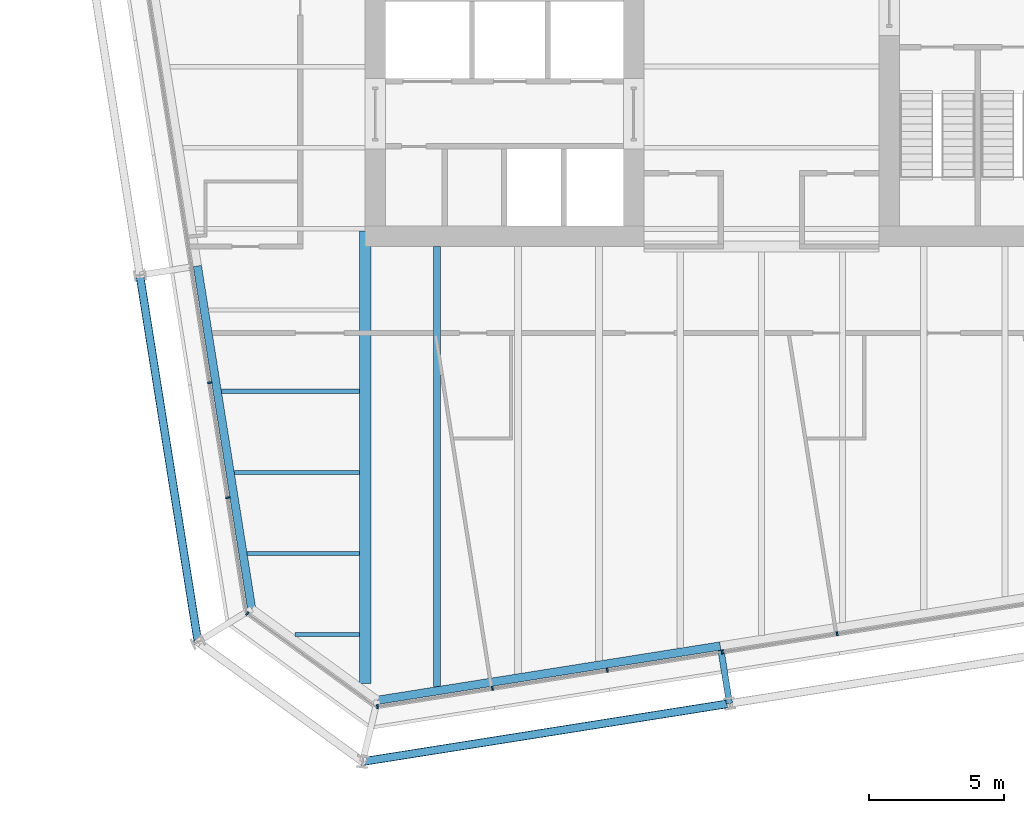
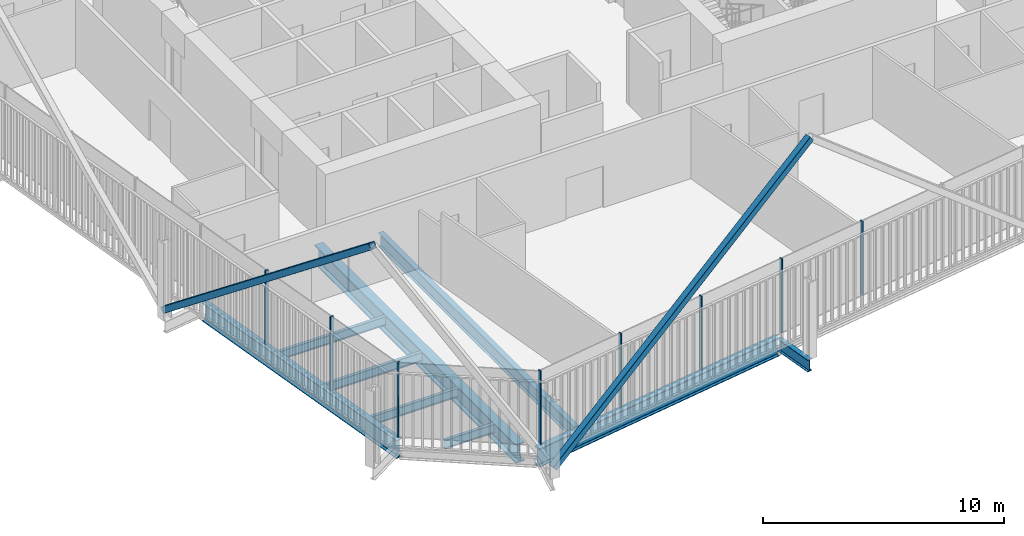
# One storey, part 2 of 22: 10 members, 9 beams, 3 elements without a shape of their own.
"""IFC4 building model written with IfcOpenShell, lengths in metres."""

import ifcopenshell
import ifcopenshell.guid

model = None  # the IFC model being written
_history = None  # IfcOwnerHistory: only IFC2X3 demands one
_inside = {}  # id of a spatial element -> (the spatial element, [elements in it])
_under = {}  # id of a project, library or spatial element -> (it, [spatial elements below it])
_declared = {}  # id of a project -> (the project, [libraries it declares])
_typed = {}  # id of a type object -> (the type object, [elements of that type])
_made_of = {}  # id of a material, layer set ... -> (it, [elements and type objects made of it])


def new_model(schema):
    """Start an empty IFC model of exactly this schema.

    Asked for "IFC4X3", IfcOpenShell would pick the latest addendum, in which some entities
    have other attributes; the version numbers below select the first issue.
    IFC2X3 requires an IfcOwnerHistory on every rooted entity: one is made here for all.
    """
    global model, _history
    if schema == "IFC4X3":
        model = ifcopenshell.file(schema_version=(4, 3, 0, 0))
    else:
        model = ifcopenshell.file(schema=schema)
    _inside.clear()
    _under.clear()
    _declared.clear()
    _typed.clear()
    _made_of.clear()
    _history = None
    if model.schema == "IFC2X3":
        org = make("IfcOrganization", Name="unknown")
        user = make(
            "IfcPersonAndOrganization",
            ThePerson=make("IfcPerson", FamilyName="unknown"),
            TheOrganization=org,
        )
        app = make(
            "IfcApplication",
            ApplicationDeveloper=org,
            Version="unknown",
            ApplicationFullName="unknown",
            ApplicationIdentifier="unknown",
        )
        _history = make(
            "IfcOwnerHistory",
            OwningUser=user,
            OwningApplication=app,
            ChangeAction="ADDED",
            CreationDate=0,
        )
    return model


def make(cls, **values):
    """One entity of the class cls with the attributes given. An attribute that is None is left unset."""
    return model.create_entity(
        cls, **{name: value for name, value in values.items() if value is not None}
    )


def rooted(cls, **values):
    """An entity with a GlobalId (a new one), such as an element, a storey or a relation."""
    return make(cls, GlobalId=ifcopenshell.guid.new(), OwnerHistory=_history, **values)


def si_unit(unit_type, name, prefix=None):
    """IfcSIUnit, for example si_unit("LENGTHUNIT", "METRE", prefix="MILLI")."""
    return make("IfcSIUnit", UnitType=unit_type, Prefix=prefix, Name=name)


def assignment(units):
    """IfcUnitAssignment: the units of a project."""
    return None if units is None else make("IfcUnitAssignment", Units=units)


def point(xyz):
    """IfcCartesianPoint."""
    return None if xyz is None else make("IfcCartesianPoint", Coordinates=xyz)


def direction(xyz):
    """IfcDirection."""
    return None if xyz is None else make("IfcDirection", DirectionRatios=xyz)


def frame(location, z_axis=None, x_axis=None):
    """IfcAxis2Placement3D, a coordinate frame: its origin and axes. An axis left out is left unset."""
    return make(
        "IfcAxis2Placement3D",
        Location=point(location),
        Axis=direction(z_axis),
        RefDirection=direction(x_axis),
    )


def frame_2d(location, x_axis=None):
    """IfcAxis2Placement2D, a coordinate frame in the plane: its origin and x axis."""
    return make(
        "IfcAxis2Placement2D", Location=point(location), RefDirection=direction(x_axis)
    )


def origin():
    """The frame at (0, 0, 0) with its axes left unset."""
    return frame((0.0, 0.0, 0.0))


def origin_2d():
    """The frame at (0, 0) in the plane with its x axis left unset."""
    return frame_2d((0.0, 0.0))


def place(relative_to, where):
    """IfcLocalPlacement: puts the frame where relative to a parent placement (None: the world)."""
    return make(
        "IfcLocalPlacement", PlacementRelTo=relative_to, RelativePlacement=where
    )


def context(
    kind, dimensions, precision=None, world=None, true_north=None, identifier=None
):
    """IfcGeometricRepresentationContext, for example the 3D "Model" context."""
    return make(
        "IfcGeometricRepresentationContext",
        ContextIdentifier=identifier,
        ContextType=kind,
        CoordinateSpaceDimension=dimensions,
        Precision=precision,
        WorldCoordinateSystem=world,
        TrueNorth=true_north,
    )


def subcontext(parent, identifier, kind, view, scale=None):
    """IfcGeometricRepresentationSubContext, for example "Body" below "Model"."""
    return make(
        "IfcGeometricRepresentationSubContext",
        ContextIdentifier=identifier,
        ContextType=kind,
        ParentContext=parent,
        TargetScale=scale,
        TargetView=view,
    )


def project(units=None, contexts=None):
    """IfcProject with its units and contexts."""
    return rooted(
        "IfcProject",
        Name="project",
        RepresentationContexts=contexts,
        UnitsInContext=assignment(units),
    )


def spatial(cls, under=None, at=None, **own):
    """A site, building, storey or space (cls), placed at a placement, below another one or the project."""
    s = rooted(cls, ObjectPlacement=at, **own)
    if under is not None:
        _under.setdefault(under.id(), (under, []))[1].append(s)
    return s


def profile(cls, at=None, kind="AREA", **sizes):
    """A parametric profile (cls). Its sizes go by their IFC names, for example OverallWidth=200.0."""
    return make(cls, ProfileType=kind, Position=at, **sizes)


def rectangle(**sizes):
    """IfcRectangleProfileDef."""
    return profile("IfcRectangleProfileDef", **sizes)


def hollow_rectangle(**sizes):
    """IfcRectangleHollowProfileDef."""
    return profile("IfcRectangleHollowProfileDef", **sizes)


def i_section(**sizes):
    """IfcIShapeProfileDef."""
    return profile("IfcIShapeProfileDef", **sizes)


def extrude(swept, where, along, depth):
    """IfcExtrudedAreaSolid: the profile swept, set in the frame where, extruded along a direction by depth."""
    return make(
        "IfcExtrudedAreaSolid",
        SweptArea=swept,
        Position=where,
        ExtrudedDirection=direction(along),
        Depth=depth,
    )


def shape(context_of_items, identifier, shape_type, items):
    """IfcShapeRepresentation: the items that make up one representation, for example the "Body"."""
    return make(
        "IfcShapeRepresentation",
        ContextOfItems=context_of_items,
        RepresentationIdentifier=identifier,
        RepresentationType=shape_type,
        Items=items,
    )


def material(Name=None, Category=None):
    """IfcMaterial."""
    return make("IfcMaterial", Name=Name, Category=Category)


def layer(
    of_material, thickness, ventilated=None, Name=None, Category=None, Priority=None
):
    """IfcMaterialLayer: one layer of a wall or slab, of a material (None: an air gap)."""
    return make(
        "IfcMaterialLayer",
        Material=of_material,
        LayerThickness=thickness,
        IsVentilated=ventilated,
        Name=Name,
        Category=Category,
        Priority=Priority,
    )


def layer_set(layers, Name=None):
    """IfcMaterialLayerSet."""
    return make("IfcMaterialLayerSet", MaterialLayers=layers, LayerSetName=Name)


def material_profile(
    of_material, cross_section, Name=None, Category=None, Priority=None
):
    """IfcMaterialProfile: a cross section and its material."""
    return make(
        "IfcMaterialProfile",
        Name=Name,
        Material=of_material,
        Profile=cross_section,
        Priority=Priority,
        Category=Category,
    )


def profile_set(profiles, Name=None, composite=None):
    """IfcMaterialProfileSet."""
    return make(
        "IfcMaterialProfileSet",
        Name=Name,
        MaterialProfiles=profiles,
        CompositeProfile=composite,
    )


def made_of(thing, what):
    """Note that an element or type object is made of a material, layer set ...; save() writes the relation."""
    if what is not None:
        _made_of.setdefault(what.id(), (what, []))[1].append(thing)
    return thing


def type_object(cls, material=None, **own):
    """A type object (cls), such as IfcWallType, which elements share."""
    return made_of(rooted(cls, **own), material)


def element(
    cls,
    number,
    at=None,
    inside=None,
    cuts=None,
    type_object=None,
    material=None,
    context=None,
    identifier="Body",
    shape_type=None,
    held_by="IfcProductDefinitionShape",
    body=None,
    shapes=None,
    **own,
):
    """One element of the class cls, such as IfcWall. Its Tag is "e" and its number.

    at: its placement. inside: the storey or other place that contains it. cuts: it is an
    opening in that element (IfcRelVoidsElement). A single representation is given by context,
    identifier, shape_type and body (its items); several are given by shapes. held_by: the class
    of the entity that holds the representations. save() writes the other relations.
    """
    e = rooted(cls, Tag="e%d" % number, ObjectPlacement=at, **own)
    if body is not None:
        shapes = [shape(context, identifier, shape_type, body)]
    if shapes is not None:
        e.Representation = make(held_by, Representations=shapes)
    if inside is not None:
        _inside.setdefault(inside.id(), (inside, []))[1].append(e)
    if cuts is not None:
        rooted(
            "IfcRelVoidsElement", RelatingBuildingElement=cuts, RelatedOpeningElement=e
        )
    if type_object is not None:
        _typed.setdefault(type_object.id(), (type_object, []))[1].append(e)
    return made_of(e, material)


def aggregate(whole, parts):
    """IfcRelAggregates: a whole, such as a stair, and the parts it consists of."""
    return rooted("IfcRelAggregates", RelatingObject=whole, RelatedObjects=parts)


def save(model, path):
    """Write the relations noted so far, then the file.

    IfcRelAggregates (storeys below a building ...), IfcRelContainedInSpatialStructure (elements
    in a storey), IfcRelDefinesByType, IfcRelAssociatesMaterial and IfcRelDeclares: one each for
    every whole, place, type object, material and project.
    """
    for whole, parts in _under.values():
        aggregate(whole, parts)
    for where, things in _inside.values():
        rooted(
            "IfcRelContainedInSpatialStructure",
            RelatedElements=things,
            RelatingStructure=where,
        )
    for kind, things in _typed.values():
        rooted("IfcRelDefinesByType", RelatedObjects=things, RelatingType=kind)
    for what, things in _made_of.values():
        rooted("IfcRelAssociatesMaterial", RelatedObjects=things, RelatingMaterial=what)
    for by, libraries in _declared.values():
        rooted("IfcRelDeclares", RelatingContext=by, RelatedDefinitions=libraries)
    model.write(path)


model = new_model("IFC4")

# Units and contexts
model_context = context("Model", 3, precision=1e-05, world=origin(), true_north=direction((0.0, 1.0)))
body_context = subcontext(model_context, "Body", "Model", "MODEL_VIEW")
ifc_project = project(units=[si_unit("LENGTHUNIT", "METRE"), si_unit("AREAUNIT", "SQUARE_METRE"), si_unit("VOLUMEUNIT", "CUBIC_METRE"), si_unit("PLANEANGLEUNIT", "RADIAN"), si_unit("MASSUNIT", "GRAM", prefix="KILO")], contexts=[model_context])

# Site, building, storey
site_placement = place(None, origin())
site = spatial("IfcSite", under=ifc_project, at=site_placement, CompositionType="ELEMENT")
building_placement = place(site_placement, origin())
building = spatial("IfcBuilding", under=site, at=building_placement, Name="Millrace Tower", CompositionType="ELEMENT")
storey_placement = place(building_placement, frame((0.0, 0.0, 168.5)))
storey = spatial("IfcBuildingStorey", under=building, at=storey_placement, Name="L38", CompositionType="ELEMENT", Elevation=168.5)

# Curtain wall, member
ifc_material_1 = material(Name="Aluminium and glass", Category="aluminium")
ifc_layer = layer(ifc_material_1, 0.14990234375)
ifc_layer_set = layer_set([ifc_layer], Name="Aluminium and glass")
curtain_wall_type = type_object("IfcCurtainWallType", Name="CW-1 office vision curtain wall", PredefinedType="NOTDEFINED", material=ifc_layer_set)
placement = place(storey_placement, origin())
curtain_wall_1 = element("IfcCurtainWall", 1, at=placement, inside=storey, type_object=curtain_wall_type, Name="Curtain wall C-F01 L38", PredefinedType="NOTDEFINED")
ifc_material_2 = material(Name="Aluminium", Category="aluminium")
ifc_material_profile_1 = material_profile(ifc_material_2, rectangle(XDim=0.06494140625, YDim=0.14990234375, at=origin_2d()))
ifc_profile_set_1 = profile_set([ifc_material_profile_1], Name="Aluminium")
member_type_1 = type_object("IfcMemberType", Name="CW-1 office vision curtain wall mullion", PredefinedType="MULLION", material=ifc_profile_set_1)
member_1_placement = place(storey_placement, frame((-19.00146484375, -23.2177734375, 0.139892578125), z_axis=(0.0, 0.0, 1.0), x_axis=(0.809016981623, -0.587785269844, 0.0)))
member_1 = element("IfcMember", 2, at=member_1_placement, type_object=member_type_1, Name="CW1 mullion C-F01.1", PredefinedType="MULLION", context=body_context, shape_type="SweptSolid", body=[
    extrude(rectangle(XDim=0.06494140625, YDim=0.14990234375, at=origin_2d()), origin(), (0.0, 0.0, 1.0), 3.760009765625),
])
aggregate(curtain_wall_1, [member_1])

# Curtain wall, members
curtain_wall_2 = element("IfcCurtainWall", 3, at=placement, inside=storey, type_object=curtain_wall_type, Name="Curtain wall C-F02 L38", PredefinedType="NOTDEFINED")
member_2_placement = place(storey_placement, frame((-14.191650390625, -26.65673828125, 0.139892578125), z_axis=(0.0, 0.0, 1.0), x_axis=(0.98768833929, 0.15643447328, 0.0)))
member_2 = element("IfcMember", 4, at=member_2_placement, type_object=member_type_1, Name="CW1 mullion C-F02.1", PredefinedType="MULLION", context=body_context, shape_type="SweptSolid", body=[
    extrude(rectangle(XDim=0.06494140625, YDim=0.14990234375, at=origin_2d()), origin(), (0.0, 0.0, 1.0), 3.760009765625),
])
member_3_placement = place(storey_placement, frame((-9.944580078125, -25.98388671875, 0.139892578125), z_axis=(0.0, 0.0, 1.0), x_axis=(0.98768833929, 0.15643447328, 0.0)))
member_3 = element("IfcMember", 5, at=member_3_placement, type_object=member_type_1, Name="CW1 mullion C-F02.2", PredefinedType="MULLION", context=body_context, shape_type="SweptSolid", body=[
    extrude(rectangle(XDim=0.06494140625, YDim=0.14990234375, at=origin_2d()), origin(), (0.0, 0.0, 1.0), 3.760009765625),
])
member_4_placement = place(storey_placement, frame((-5.697509765625, -25.311279296875, 0.139892578125), z_axis=(0.0, 0.0, 1.0), x_axis=(0.98768833929, 0.15643447328, 0.0)))
member_4 = element("IfcMember", 6, at=member_4_placement, type_object=member_type_1, Name="CW1 mullion C-F02.3", PredefinedType="MULLION", context=body_context, shape_type="SweptSolid", body=[
    extrude(rectangle(XDim=0.06494140625, YDim=0.14990234375, at=origin_2d()), origin(), (0.0, 0.0, 1.0), 3.760009765625),
])
member_5_placement = place(storey_placement, frame((-1.450439453125, -24.638671875, 0.139892578125), z_axis=(0.0, 0.0, 1.0), x_axis=(0.98768833929, 0.15643447328, 0.0)))
member_5 = element("IfcMember", 7, at=member_5_placement, type_object=member_type_1, Name="CW1 mullion C-F02.4", PredefinedType="MULLION", context=body_context, shape_type="SweptSolid", body=[
    extrude(rectangle(XDim=0.06494140625, YDim=0.14990234375, at=origin_2d()), origin(), (0.0, 0.0, 1.0), 3.760009765625),
])
member_6_placement = place(storey_placement, frame((2.796630859375, -23.966064453125, 0.139892578125), z_axis=(0.0, 0.0, 1.0), x_axis=(0.98768833929, 0.15643447328, 0.0)))
member_6 = element("IfcMember", 8, at=member_6_placement, type_object=member_type_1, Name="CW1 mullion C-F02.5", PredefinedType="MULLION", context=body_context, shape_type="SweptSolid", body=[
    extrude(rectangle(XDim=0.06494140625, YDim=0.14990234375, at=origin_2d()), origin(), (0.0, 0.0, 1.0), 3.760009765625),
])
aggregate(curtain_wall_2, [member_2, member_3, member_4, member_5, member_6])

curtain_wall_3 = element("IfcCurtainWall", 9, at=placement, inside=storey, type_object=curtain_wall_type, Name="Curtain wall C-F08 L38", PredefinedType="NOTDEFINED")
member_7_placement = place(storey_placement, frame((-20.39794921875, -14.687744140625, 0.139892578125), z_axis=(0.0, 0.0, 1.0), x_axis=(0.15643447328, -0.98768833929, 0.0)))
member_7 = element("IfcMember", 10, at=member_7_placement, type_object=member_type_1, Name="CW1 mullion C-F08.8", PredefinedType="MULLION", context=body_context, shape_type="SweptSolid", body=[
    extrude(rectangle(XDim=0.06494140625, YDim=0.14990234375, at=origin_2d()), origin(), (0.0, 0.0, 1.0), 3.760009765625),
])
member_8_placement = place(storey_placement, frame((-19.725341796875, -18.934814453125, 0.139892578125), z_axis=(0.0, 0.0, 1.0), x_axis=(0.15643447328, -0.98768833929, 0.0)))
member_8 = element("IfcMember", 11, at=member_8_placement, type_object=member_type_1, Name="CW1 mullion C-F08.9", PredefinedType="MULLION", context=body_context, shape_type="SweptSolid", body=[
    extrude(rectangle(XDim=0.06494140625, YDim=0.14990234375, at=origin_2d()), origin(), (0.0, 0.0, 1.0), 3.760009765625),
])
aggregate(curtain_wall_3, [member_7, member_8])

# Members
ifc_material_3 = material(Name="Steel ASTM A500 Grade C", Category="steel")
ifc_material_profile_2 = material_profile(ifc_material_3, hollow_rectangle(XDim=0.3046875, YDim=0.3046875, WallThickness=0.0126953125, InnerFilletRadius=0.00634765625, OuterFilletRadius=0.01904296875, at=origin_2d()))
ifc_profile_set_2 = profile_set([ifc_material_profile_2], Name="Steel ASTM A500 Grade C")
member_type_2 = type_object("IfcMemberType", Name="Exoskeleton brace HSS12x12x1/2", PredefinedType="BRACE", material=ifc_profile_set_2)
member_9_placement = place(storey_placement, frame((-14.740966796875, -28.692626953125, 0.39990234375), z_axis=(0.77901846445, 0.123374980434, 0.614742910694), x_axis=(-0.15642281023, 0.987690186465, 0.0)))
element("IfcMember", 12, at=member_9_placement, inside=storey, type_object=member_type_2, Name="BRC-C-L38-02", PredefinedType="BRACE", context=body_context, shape_type="SweptSolid", body=[
    extrude(hollow_rectangle(XDim=0.3046875, YDim=0.3046875, WallThickness=0.0126953125, InnerFilletRadius=0.00634765625, OuterFilletRadius=0.01904296875, at=origin_2d()), origin(), (0.0, 0.0, 1.0), 17.406005859375),
])
member_10_placement = place(storey_placement, frame((-22.97705078125, -10.709716796875, 0.39990234375), z_axis=(0.123390141398, -0.779011602037, 0.614748563965), x_axis=(0.987687003601, 0.156442906258, 0.0)))
element("IfcMember", 13, at=member_10_placement, inside=storey, type_object=member_type_2, Name="BRC-C-L38-16", PredefinedType="BRACE", context=body_context, shape_type="SweptSolid", body=[
    extrude(hollow_rectangle(XDim=0.3046875, YDim=0.3046875, WallThickness=0.0126953125, InnerFilletRadius=0.00634765625, OuterFilletRadius=0.01904296875, at=origin_2d()), origin(), (0.0, 0.0, 1.0), 17.40576171875),
])

# Beams
ifc_material_4 = material(Name="Steel ASTM A992 Grade 50", Category="steel")
ifc_material_profile_3 = material_profile(ifc_material_4, i_section(OverallWidth=0.15234375, OverallDepth=0.449462890625, WebThickness=0.007568359375, FlangeThickness=0.0107421875, FilletRadius=0.01025390625, at=origin_2d()))
ifc_profile_set_3 = profile_set([ifc_material_profile_3], Name="Steel ASTM A992 Grade 50")
beam_type_1 = type_object("IfcBeamType", Name="Floor beam W18x35", PredefinedType="JOIST", material=ifc_profile_set_3)
beam_1_placement = place(storey_placement, frame((-19.01123046875, -21.0, -0.384765625), z_axis=(1.0, 0.0, 0.0), x_axis=(0.0, 1.0, 0.0)))
element("IfcBeam", 14, at=beam_1_placement, inside=storey, type_object=beam_type_1, Name="BM-C-L38-S1-S002", PredefinedType="JOIST", context=body_context, shape_type="SweptSolid", body=[
    extrude(i_section(OverallWidth=0.15234375, OverallDepth=0.449462890625, WebThickness=0.007568359375, FlangeThickness=0.0107421875, FilletRadius=0.01025390625, at=origin_2d()), origin(), (0.0, 0.0, 1.0), 4.151611328125),
])
beam_2_placement = place(storey_placement, frame((-19.486328125, -18.0, -0.384765625), z_axis=(1.0, 0.0, 0.0), x_axis=(0.0, 1.0, 0.0)))
element("IfcBeam", 15, at=beam_2_placement, inside=storey, type_object=beam_type_1, Name="BM-C-L38-S1-S004", PredefinedType="JOIST", context=body_context, shape_type="SweptSolid", body=[
    extrude(i_section(OverallWidth=0.15234375, OverallDepth=0.449462890625, WebThickness=0.007568359375, FlangeThickness=0.0107421875, FilletRadius=0.01025390625, at=origin_2d()), origin(), (0.0, 0.0, 1.0), 4.626708984375),
])
beam_3_placement = place(storey_placement, frame((-19.96142578125, -15.0, -0.384765625), z_axis=(1.0, 0.0, 0.0), x_axis=(0.0, 1.0, 0.0)))
element("IfcBeam", 16, at=beam_3_placement, inside=storey, type_object=beam_type_1, Name="BM-C-L38-S1-S006", PredefinedType="JOIST", context=body_context, shape_type="SweptSolid", body=[
    extrude(i_section(OverallWidth=0.15234375, OverallDepth=0.449462890625, WebThickness=0.007568359375, FlangeThickness=0.0107421875, FilletRadius=0.01025390625, at=origin_2d()), origin(), (0.0, 0.0, 1.0), 5.101806640625),
])
beam_4_placement = place(storey_placement, frame((-17.246337890625, -24.0, -0.384765625), z_axis=(1.0, 0.0, 0.0), x_axis=(0.0, 1.0, 0.0)))
element("IfcBeam", 17, at=beam_4_placement, inside=storey, type_object=beam_type_1, Name="BM-C-L38-S1-S001", PredefinedType="JOIST", context=body_context, shape_type="SweptSolid", body=[
    extrude(i_section(OverallWidth=0.15234375, OverallDepth=0.449462890625, WebThickness=0.007568359375, FlangeThickness=0.0107421875, FilletRadius=0.01025390625, at=origin_2d()), origin(), (0.0, 0.0, 1.0), 2.38671875),
])
ifc_material_5 = material(Name="Steel ASTM A992 Grade 50", Category="steel")
ifc_material_profile_4 = material_profile(ifc_material_5, i_section(OverallWidth=0.256591796875, OverallDepth=0.693359375, WebThickness=0.014404296875, FlangeThickness=0.023681640625, FilletRadius=0.01513671875, at=origin_2d()))
ifc_profile_set_4 = profile_set([ifc_material_profile_4], Name="Steel ASTM A992 Grade 50")
beam_type_2 = type_object("IfcBeamType", Name="Floor beam W27x114", PredefinedType="JOIST", material=ifc_profile_set_4)
beam_5_placement = place(storey_placement, frame((-12.0, -25.92236328125, -0.506591796875), z_axis=(0.0, 1.0, 0.0), x_axis=(-1.0, 0.0, 0.0)))
element("IfcBeam", 18, at=beam_5_placement, inside=storey, type_object=beam_type_2, Name="BM-C-L38-S1-S040", PredefinedType="JOIST", context=body_context, shape_type="SweptSolid", body=[
    extrude(i_section(OverallWidth=0.256591796875, OverallDepth=0.693359375, WebThickness=0.014404296875, FlangeThickness=0.023681640625, FilletRadius=0.01513671875, at=origin_2d()), origin(), (0.0, 0.0, 1.0), 16.2724609375),
])
ifc_material_6 = material(Name="Steel ASTM A992 Grade 50", Category="steel")
ifc_material_profile_5 = material_profile(ifc_material_6, i_section(OverallWidth=0.424072265625, OverallDepth=0.947509765625, WebThickness=0.02392578125, FlangeThickness=0.042724609375, FilletRadius=0.024169921875, at=origin_2d()))
ifc_profile_set_5 = profile_set([ifc_material_profile_5], Name="Steel ASTM A992 Grade 50")
beam_type_3 = type_object("IfcBeamType", Name="Girder medium span W36x302", PredefinedType="BEAM", material=ifc_profile_set_5)
beam_6_placement = place(storey_placement, frame((-14.64990234375, -25.806640625, -0.6337890625), z_axis=(0.0, 1.0, 0.0), x_axis=(-1.0, 0.0, 0.0)))
element("IfcBeam", 19, at=beam_6_placement, inside=storey, type_object=beam_type_3, Name="BM-C-L38-S1-G058", PredefinedType="BEAM", context=body_context, shape_type="SweptSolid", body=[
    extrude(i_section(OverallWidth=0.424072265625, OverallDepth=0.947509765625, WebThickness=0.02392578125, FlangeThickness=0.042724609375, FilletRadius=0.024169921875, at=origin_2d()), origin(), (0.0, 0.0, 1.0), 16.720703125),
])
ifc_material_7 = material(Name="Steel ASTM A992 Grade 50", Category="steel")
ifc_material_profile_6 = material_profile(ifc_material_7, i_section(OverallWidth=0.23046875, OverallDepth=0.6171875, WebThickness=0.01318359375, FlangeThickness=0.022216796875, FilletRadius=0.012939453125, at=origin_2d()))
ifc_profile_set_6 = profile_set([ifc_material_profile_6], Name="Steel ASTM A992 Grade 50")
beam_type_4 = type_object("IfcBeamType", Name="Link beam W24x94", PredefinedType="BEAM", material=ifc_profile_set_6)
beam_7_placement = place(storey_placement, frame((-1.494384765625, -24.569580078125, -0.468505859375), z_axis=(0.156476509441, -0.987681680499, 0.0), x_axis=(0.987681680499, 0.156476509441, 0.0)))
element("IfcBeam", 20, at=beam_7_placement, inside=storey, type_object=beam_type_4, Name="LNK-C-L38-S1-15", PredefinedType="BEAM", context=body_context, shape_type="SweptSolid", body=[
    extrude(i_section(OverallWidth=0.23046875, OverallDepth=0.6171875, WebThickness=0.01318359375, FlangeThickness=0.022216796875, FilletRadius=0.012939453125, at=origin_2d()), origin(), (0.0, 0.0, 1.0), 2.000244140625),
])
ifc_material_8 = material(Name="Steel ASTM A992 Grade 50", Category="steel")
ifc_material_profile_7 = material_profile(ifc_material_8, i_section(OverallWidth=0.307373046875, OverallDepth=0.927001953125, WebThickness=0.01953125, FlangeThickness=0.031982421875, FilletRadius=0.01904296875, at=origin_2d()))
ifc_profile_set_7 = profile_set([ifc_material_profile_7], Name="Steel ASTM A992 Grade 50")
beam_type_5 = type_object("IfcBeamType", Name="Ring beam medium span W36x194", PredefinedType="SPANDREL", material=ifc_profile_set_7)
beam_8_placement = place(storey_placement, frame((-18.841796875, -23.051025390625, -0.62353515625), z_axis=(-0.156436246498, 0.987688058438, 0.0), x_axis=(-0.987688058438, -0.156436246498, 0.0)))
element("IfcBeam", 21, at=beam_8_placement, inside=storey, type_object=beam_type_5, Name="RNG-C-L38-S1-01", PredefinedType="SPANDREL", context=body_context, shape_type="SweptSolid", body=[
    extrude(i_section(OverallWidth=0.307373046875, OverallDepth=0.927001953125, WebThickness=0.01953125, FlangeThickness=0.031982421875, FilletRadius=0.01904296875, at=origin_2d()), origin(), (0.0, 0.0, 1.0), 12.836181640625),
])
beam_9_placement = place(storey_placement, frame((-1.518310546875, -24.41796875, -0.62353515625), z_axis=(-0.987688523879, -0.15643330783, 0.0), x_axis=(0.15643330783, -0.987688523879, 0.0)))
element("IfcBeam", 22, at=beam_9_placement, inside=storey, type_object=beam_type_5, Name="RNG-C-L38-S1-15", PredefinedType="SPANDREL", context=body_context, shape_type="SweptSolid", body=[
    extrude(i_section(OverallWidth=0.307373046875, OverallDepth=0.927001953125, WebThickness=0.01953125, FlangeThickness=0.031982421875, FilletRadius=0.01904296875, at=origin_2d()), origin(), (0.0, 0.0, 1.0), 12.83642578125),
])

save(model, "model.ifc")
